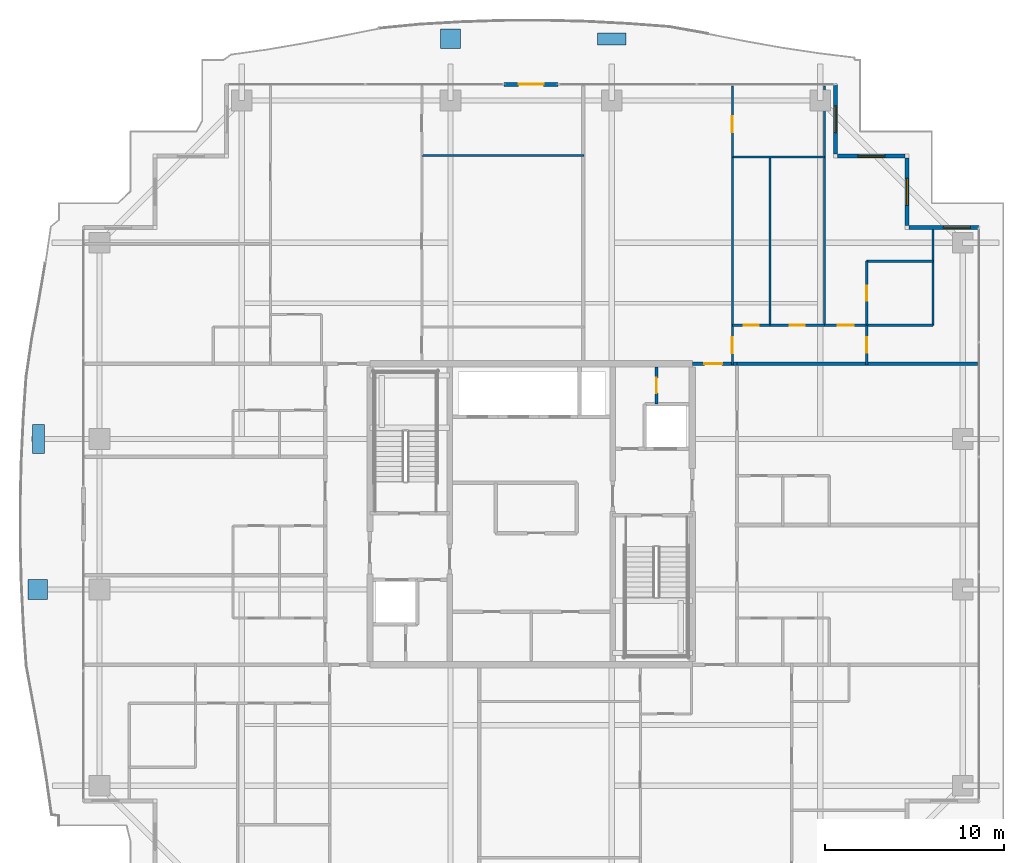
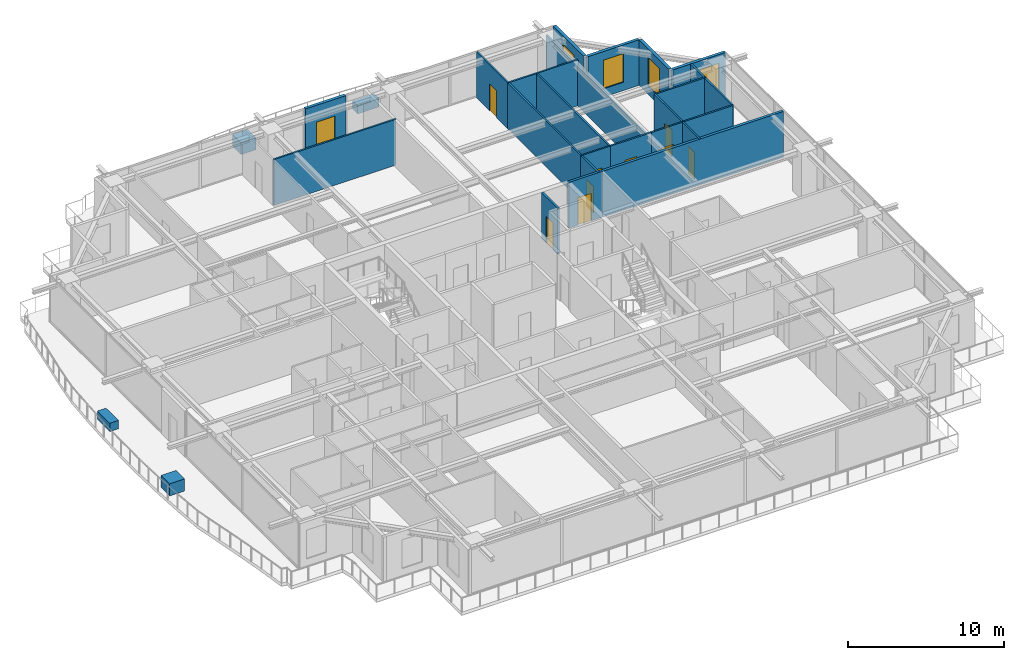
# One storey, part 31 of 38: 23 walls, 10 doors, 4 discrete accessories, 4 windows, 14 openings.
"""IFC4 building model written with IfcOpenShell, lengths in metres."""

from ifc_helpers import new_model, si_unit, direction, frame, frame_2d, origin, origin_2d, place, context, subcontext, project, spatial, rectangle, extrude, source, transform, mapped, material, layer, layer_set, type_object, element, fill, save


model = new_model("IFC4")

# Units and contexts
model_context = context("Model", 3, precision=1e-05, world=origin(), true_north=direction((0.0, 1.0)))
body_context = subcontext(model_context, "Body", "Model", "MODEL_VIEW")
ifc_project = project(units=[si_unit("LENGTHUNIT", "METRE"), si_unit("AREAUNIT", "SQUARE_METRE"), si_unit("VOLUMEUNIT", "CUBIC_METRE"), si_unit("PLANEANGLEUNIT", "RADIAN"), si_unit("MASSUNIT", "GRAM", prefix="KILO")], contexts=[model_context])

# Site, building, storey
site_placement = place(None, origin())
site = spatial("IfcSite", under=ifc_project, at=site_placement, CompositionType="ELEMENT")
building_placement = place(site_placement, origin())
building = spatial("IfcBuilding", under=site, at=building_placement, Name="Serunith Strait Residences", CompositionType="ELEMENT")
storey_placement = place(building_placement, frame((0.0, 0.0, 237.39990234375)))
storey = spatial("IfcBuildingStorey", under=building, at=storey_placement, Name="L59", CompositionType="ELEMENT", Elevation=237.39990234375)

# Wall, opening, window
ifc_material_1 = material(Name="Pale-Champagne Aluminium Insulated Panel", Category="aluminium")
ifc_layer_1 = layer(ifc_material_1, 0.219970703125, Name="Pale-Champagne Aluminium Insulated Panel")
ifc_layer_set_1 = layer_set([ifc_layer_1], Name="Pale-Champagne Aluminium Insulated Panel")
wall_type_1 = type_object("IfcWallType", Name="EW-ALUM-220", PredefinedType="ELEMENTEDWALL", material=ifc_layer_set_1)
wall_1_placement = place(storey_placement, frame((57.39990234375, 41.199951171875, 0.0), z_axis=(0.0, 0.0, 1.0), x_axis=(-1.0, 0.0, 0.0)))
wall_1 = element("IfcWall", 1, at=wall_1_placement, inside=storey, type_object=wall_type_1, Name="L59 Girih Serrated Corner Wall 07", PredefinedType="ELEMENTEDWALL", context=body_context, shape_type="SweptSolid", body=[
    extrude(rectangle(XDim=3.889892578125, YDim=0.219970703125, at=frame_2d((1.94482421875, 0.0))), origin(), (0.0, 0.0, 1.0), 3.5751953125),
])
opening_1_placement = place(wall_1_placement, frame((0.47802734375, 0.0, 0.64990234375)))
opening_1 = element("IfcOpeningElement", 2, at=opening_1_placement, cuts=wall_1, Name="Opening W-05", PredefinedType="OPENING", context=body_context, shape_type="SweptSolid", body=[
    extrude(rectangle(XDim=1.5, YDim=2.25, at=frame_2d((0.75, 1.125))), frame((0.0, 0.1201171875, 0.0), z_axis=(0.0, -1.0, 0.0), x_axis=(1.0, 0.0, 0.0)), (0.0, 0.0, 1.0), 0.239990234375),
])
ifc_material_2 = material(Name="Ceramic-Fritted Operable Aluminium Window Glass", Category="aluminium")
window_type = type_object("IfcWindowType", Name="WIN-C5", PartitioningType="DOUBLE_PANEL_VERTICAL", PredefinedType="WINDOW", material=ifc_material_2)
shared_shape_1 = source(origin(), body_context, "Body", "SweptSolid", [
    extrude(rectangle(XDim=1.5, YDim=2.25, at=frame_2d((0.75, 1.125))), frame((0.0, 0.030029296875, 0.0), z_axis=(0.0, -1.0, 0.0), x_axis=(1.0, 0.0, 0.0)), (0.0, 0.0, 1.0), 0.06005859375),
])
window_1_placement = place(opening_1_placement, origin())
window_1 = element("IfcWindow", 3, at=window_1_placement, inside=storey, type_object=window_type, Name="L59 Corner Operable Fritted Window 07", OverallHeight=2.25, OverallWidth=1.5, PartitioningType="SINGLE_PANEL", PredefinedType="WINDOW", context=body_context, shape_type="MappedRepresentation", body=[
    mapped(shared_shape_1, transform((0.0, 0.0, 0.0), scale=1.0)),
])
fill(opening_1, window_1)

wall_2_placement = place(storey_placement, frame((53.39990234375, 41.31005859375, 0.0), z_axis=(0.0, 0.0, 1.0), x_axis=(0.0, 1.0, 0.0)))
wall_2 = element("IfcWall", 4, at=wall_2_placement, inside=storey, type_object=wall_type_1, Name="L59 Girih Serrated Corner Wall 08", PredefinedType="ELEMENTEDWALL", context=body_context, shape_type="SweptSolid", body=[
    extrude(rectangle(XDim=3.780029296875, YDim=0.219970703125, at=frame_2d((1.89013671875, 0.0))), origin(), (0.0, 0.0, 1.0), 3.5751953125),
])
opening_2_placement = place(wall_2_placement, frame((1.139892578125, 0.0, 0.64990234375)))
opening_2 = element("IfcOpeningElement", 5, at=opening_2_placement, cuts=wall_2, Name="Opening W-05", PredefinedType="OPENING", context=body_context, shape_type="SweptSolid", body=[
    extrude(rectangle(XDim=1.5, YDim=2.25, at=frame_2d((0.75, 1.125))), frame((0.0, 0.1201171875, 0.0), z_axis=(0.0, -1.0, 0.0), x_axis=(1.0, 0.0, 0.0)), (0.0, 0.0, 1.0), 0.239990234375),
])
window_2_placement = place(opening_2_placement, origin())
window_2 = element("IfcWindow", 6, at=window_2_placement, inside=storey, type_object=window_type, Name="L59 Corner Operable Fritted Window 08", OverallHeight=2.25, OverallWidth=1.5, PartitioningType="SINGLE_PANEL", PredefinedType="WINDOW", context=body_context, shape_type="MappedRepresentation", body=[
    mapped(shared_shape_1, transform((0.0, 0.0, 0.0), scale=1.0)),
])
fill(opening_2, window_2)

wall_3_placement = place(storey_placement, frame((53.2900390625, 45.199951171875, 0.0), z_axis=(0.0, 0.0, 1.0), x_axis=(-1.0, 0.0, 0.0)))
wall_3 = element("IfcWall", 7, at=wall_3_placement, inside=storey, type_object=wall_type_1, Name="L59 Girih Serrated Corner Wall 09", PredefinedType="ELEMENTEDWALL", context=body_context, shape_type="SweptSolid", body=[
    extrude(rectangle(XDim=3.780029296875, YDim=0.219970703125, at=frame_2d((1.89013671875, 0.0))), origin(), (0.0, 0.0, 1.0), 3.5751953125),
])
opening_3_placement = place(wall_3_placement, frame((1.139892578125, 0.0, 0.64990234375)))
opening_3 = element("IfcOpeningElement", 8, at=opening_3_placement, cuts=wall_3, Name="Opening W-05", PredefinedType="OPENING", context=body_context, shape_type="SweptSolid", body=[
    extrude(rectangle(XDim=1.5, YDim=2.25, at=frame_2d((0.75, 1.125))), frame((0.0, 0.1201171875, 0.0), z_axis=(0.0, -1.0, 0.0), x_axis=(1.0, 0.0, 0.0)), (0.0, 0.0, 1.0), 0.239990234375),
])
window_3_placement = place(opening_3_placement, origin())
window_3 = element("IfcWindow", 9, at=window_3_placement, inside=storey, type_object=window_type, Name="L59 Corner Operable Fritted Window 09", OverallHeight=2.25, OverallWidth=1.5, PartitioningType="SINGLE_PANEL", PredefinedType="WINDOW", context=body_context, shape_type="MappedRepresentation", body=[
    mapped(shared_shape_1, transform((0.0, 0.0, 0.0), scale=1.0)),
])
fill(opening_3, window_3)

wall_4_placement = place(storey_placement, frame((49.39990234375, 45.31005859375, 0.0), z_axis=(0.0, 0.0, 1.0), x_axis=(0.0, 1.0, 0.0)))
wall_4 = element("IfcWall", 10, at=wall_4_placement, inside=storey, type_object=wall_type_1, Name="L59 Girih Serrated Corner Wall 10", PredefinedType="ELEMENTEDWALL", context=body_context, shape_type="SweptSolid", body=[
    extrude(rectangle(XDim=3.889892578125, YDim=0.219970703125, at=frame_2d((1.94482421875, 0.0))), origin(), (0.0, 0.0, 1.0), 3.5751953125),
])
opening_4_placement = place(wall_4_placement, frame((1.195068359375, 0.0, 0.64990234375)))
opening_4 = element("IfcOpeningElement", 11, at=opening_4_placement, cuts=wall_4, Name="Opening W-05", PredefinedType="OPENING", context=body_context, shape_type="SweptSolid", body=[
    extrude(rectangle(XDim=1.5, YDim=2.25, at=frame_2d((0.75, 1.125))), frame((0.0, 0.1201171875, 0.0), z_axis=(0.0, -1.0, 0.0), x_axis=(1.0, 0.0, 0.0)), (0.0, 0.0, 1.0), 0.239990234375),
])
window_4_placement = place(opening_4_placement, origin())
window_4 = element("IfcWindow", 12, at=window_4_placement, inside=storey, type_object=window_type, Name="L59 Corner Operable Fritted Window 10", OverallHeight=2.25, OverallWidth=1.5, PartitioningType="SINGLE_PANEL", PredefinedType="WINDOW", context=body_context, shape_type="MappedRepresentation", body=[
    mapped(shared_shape_1, transform((0.0, 0.0, 0.0), scale=1.0)),
])
fill(opening_4, window_4)

# Wall, opening, door
wall_5_placement = place(storey_placement, frame((33.89990234375, 49.199951171875, 0.0), z_axis=(0.0, 0.0, 1.0), x_axis=(-1.0, 0.0, 0.0)))
wall_5 = element("IfcWall", 13, at=wall_5_placement, inside=storey, type_object=wall_type_1, Name="L59 N Facade Pier Wall", PredefinedType="ELEMENTEDWALL", context=body_context, shape_type="SweptSolid", body=[
    extrude(rectangle(XDim=3.0, YDim=0.219970703125, at=frame_2d((1.5, 0.0))), origin(), (0.0, 0.0, 1.0), 3.5751953125),
])
opening_5_placement = place(wall_5_placement, frame((0.800048828125, 0.0, 0.0)))
opening_5 = element("IfcOpeningElement", 14, at=opening_5_placement, cuts=wall_5, Name="Opening ED-04", PredefinedType="OPENING", context=body_context, shape_type="SweptSolid", body=[
    extrude(rectangle(XDim=1.39990234375, YDim=2.25, at=frame_2d((0.699951171875, 1.125))), frame((0.0, 0.1201171875, 0.0), z_axis=(0.0, -1.0, 0.0), x_axis=(1.0, 0.0, 0.0)), (0.0, 0.0, 1.0), 0.239990234375),
])
ifc_material_3 = material(Name="Thermally-Broken Aluminium Sliding Balcony Door", Category="aluminium")
door_type_1 = type_object("IfcDoorType", Name="ED-BALC-1400", OperationType="NOTDEFINED", PredefinedType="DOOR", material=ifc_material_3)
shared_shape_2 = source(origin(), body_context, "Body", "SweptSolid", [
    extrude(rectangle(XDim=1.39990234375, YDim=2.25, at=frame_2d((0.699951171875, 1.125))), frame((0.0, 0.02490234375, 0.0), z_axis=(0.0, -1.0, 0.0), x_axis=(1.0, 0.0, 0.0)), (0.0, 0.0, 1.0), 0.050048828125),
])
door_1_placement = place(opening_5_placement, origin())
door_1 = element("IfcDoor", 15, at=door_1_placement, inside=storey, type_object=door_type_1, Name="L59 N Vertical-Forest Balcony Door", OperationType="SLIDING_TO_LEFT", OverallHeight=2.25, OverallWidth=1.39990234375, PredefinedType="DOOR", context=body_context, shape_type="MappedRepresentation", body=[
    mapped(shared_shape_2, transform((0.0, 0.0, 0.0), scale=1.0)),
])
fill(opening_5, door_1)

ifc_material_4 = material(Name="Fire-rated masonry service closet wall", Category="masonry")
ifc_layer_2 = layer(ifc_material_4, 0.14990234375, Name="Fire-rated masonry service closet wall")
ifc_layer_set_2 = layer_set([ifc_layer_2], Name="Fire-rated masonry service closet wall")
wall_type_2 = type_object("IfcWallType", Name="IW-BOH-150", PredefinedType="PARTITIONING", material=ifc_layer_set_2)
wall_6_placement = place(storey_placement, frame((39.39990234375, 31.35009765625, 0.0), z_axis=(0.0, 0.0, 1.0), x_axis=(0.0, 1.0, 0.0)))
wall_6 = element("IfcWall", 16, at=wall_6_placement, inside=storey, type_object=wall_type_2, Name="L59 Partition Wall 012", PredefinedType="PARTITIONING", context=body_context, shape_type="SweptSolid", body=[
    extrude(rectangle(XDim=2.074951171875, YDim=0.14990234375, at=frame_2d((1.03759765625, 0.0))), origin(), (0.0, 0.0, 1.0), 3.590087890625),
])
opening_6_placement = place(wall_6_placement, frame((0.612060546875, 0.0, 0.0)))
opening_6 = element("IfcOpeningElement", 17, at=opening_6_placement, cuts=wall_6, Name="Opening FD-850", PredefinedType="OPENING", context=body_context, shape_type="SweptSolid", body=[
    extrude(rectangle(XDim=0.85009765625, YDim=2.10009765625, at=frame_2d((0.425048828125, 1.050048828125))), frame((0.0, 0.0849609375, 0.0), z_axis=(0.0, -1.0, 0.0), x_axis=(1.0, 0.0, 0.0)), (0.0, 0.0, 1.0), 0.169921875),
])
ifc_material_5 = material(Name="Powder-coated steel service closet door", Category="steel")
door_type_2 = type_object("IfcDoorType", Name="FD-BOH-850", OperationType="NOTDEFINED", PredefinedType="DOOR", material=ifc_material_5)
shared_shape_3 = source(origin(), body_context, "Body", "SweptSolid", [
    extrude(rectangle(XDim=0.85009765625, YDim=2.10009765625, at=frame_2d((0.425048828125, 1.050048828125))), frame((0.0, 0.02490234375, 0.0), z_axis=(0.0, -1.0, 0.0), x_axis=(1.0, 0.0, 0.0)), (0.0, 0.0, 1.0), 0.050048828125),
])
door_2_placement = place(opening_6_placement, origin())
door_2 = element("IfcDoor", 18, at=door_2_placement, inside=storey, type_object=door_type_2, Name="L59 Janitor Store Door", OperationType="SINGLE_SWING_RIGHT", OverallHeight=2.10009765625, OverallWidth=0.85009765625, PredefinedType="DOOR", context=body_context, shape_type="MappedRepresentation", body=[
    mapped(shared_shape_3, transform((0.0, 0.0, 0.0), scale=1.0)),
])
fill(opening_6, door_2)

ifc_material_6 = material(Name="Fire-rated acoustic gypsum partition")
ifc_layer_3 = layer(ifc_material_6, 0.179931640625, Name="Fire-rated acoustic gypsum partition")
ifc_layer_set_3 = layer_set([ifc_layer_3], Name="Fire-rated acoustic gypsum partition")
wall_type_3 = type_object("IfcWallType", Name="IW-CORR-180", PredefinedType="PARTITIONING", material=ifc_layer_set_3)
wall_7_placement = place(storey_placement, frame((41.402099609375, 33.60009765625, 0.0), z_axis=(0.0, 0.0, 1.0), x_axis=(1.0, 0.0, 0.0)))
wall_7 = element("IfcWall", 19, at=wall_7_placement, inside=storey, type_object=wall_type_3, Name="L59 Partition Wall 033", PredefinedType="PARTITIONING", context=body_context, shape_type="SweptSolid", body=[
    extrude(rectangle(XDim=2.495849609375, YDim=0.179931640625, at=frame_2d((1.248046875, 0.0))), origin(), (0.0, 0.0, 1.0), 3.590087890625),
])
opening_7_placement = place(wall_7_placement, frame((0.666015625, 0.0, 0.0)))
opening_7 = element("IfcOpeningElement", 20, at=opening_7_placement, cuts=wall_7, Name="Opening D-APT1000", PredefinedType="OPENING", context=body_context, shape_type="SweptSolid", body=[
    extrude(rectangle(XDim=1.0, YDim=2.14990234375, at=frame_2d((0.5, 1.074951171875))), frame((0.0, 0.10009765625, 0.0), z_axis=(0.0, -1.0, 0.0), x_axis=(1.0, 0.0, 0.0)), (0.0, 0.0, 1.0), 0.199951171875),
])
ifc_material_7 = material(Name="Solid timber engineered fire door", Category="wood")
door_type_3 = type_object("IfcDoorType", Name="ID-APT-1000", OperationType="NOTDEFINED", PredefinedType="DOOR", material=ifc_material_7)
shared_shape_4 = source(origin(), body_context, "Body", "SweptSolid", [
    extrude(rectangle(XDim=1.0, YDim=2.14990234375, at=frame_2d((0.5, 1.074951171875))), frame((0.0, 0.02490234375, 0.0), z_axis=(0.0, -1.0, 0.0), x_axis=(1.0, 0.0, 0.0)), (0.0, 0.0, 1.0), 0.050048828125),
])
door_3_placement = place(opening_7_placement, origin())
door_3 = element("IfcDoor", 21, at=door_3_placement, inside=storey, type_object=door_type_3, Name="L59 Unit 04 Entrance Door", OperationType="SINGLE_SWING_RIGHT", OverallHeight=2.14990234375, OverallWidth=1.0, PredefinedType="DOOR", context=body_context, shape_type="MappedRepresentation", body=[
    mapped(shared_shape_4, transform((0.0, 0.0, 0.0), scale=1.0)),
])
fill(opening_7, door_3)

# Wall
ifc_material_8 = material(Name="Lightweight steel-stud gypsum partition", Category="steel")
ifc_layer_4 = layer(ifc_material_8, 0.1201171875, Name="Lightweight steel-stud gypsum partition")
ifc_layer_set_4 = layer_set([ifc_layer_4], Name="Lightweight steel-stud gypsum partition")
wall_type_4 = type_object("IfcWallType", Name="IW-PART-120", PredefinedType="PARTITIONING", material=ifc_layer_set_4)
wall_8_placement = place(storey_placement, frame((26.300048828125, 45.236083984375, 0.0), z_axis=(0.0, 0.0, 1.0), x_axis=(1.0, 0.0, 0.0)))
element("IfcWall", 22, at=wall_8_placement, inside=storey, type_object=wall_type_4, Name="L59 Partition Wall 071", PredefinedType="PARTITIONING", context=body_context, shape_type="SweptSolid", body=[
    extrude(rectangle(XDim=9.06005859375, YDim=0.1201171875, at=frame_2d((4.530029296875, 0.0))), origin(), (0.0, 0.0, 1.0), 3.590087890625),
])

# Wall, opening, door
wall_9_placement = place(storey_placement, frame((43.639892578125, 35.75, 0.0), z_axis=(0.0, 0.0, 1.0), x_axis=(0.0, -1.0, 0.0)))
wall_9 = element("IfcWall", 23, at=wall_9_placement, inside=storey, type_object=wall_type_4, Name="L59 Partition Wall 075", PredefinedType="PARTITIONING", context=body_context, shape_type="SweptSolid", body=[
    extrude(rectangle(XDim=2.2099609375, YDim=0.1201171875, at=frame_2d((1.10498046875, 0.0))), origin(), (0.0, 0.0, 1.0), 3.590087890625),
])
opening_8_placement = place(wall_9_placement, frame((0.655029296875, 0.0, 0.0)))
opening_8 = element("IfcOpeningElement", 24, at=opening_8_placement, cuts=wall_9, Name="Opening D-RM900", PredefinedType="OPENING", context=body_context, shape_type="SweptSolid", body=[
    extrude(rectangle(XDim=0.89990234375, YDim=2.10009765625, at=frame_2d((0.449951171875, 1.050048828125))), frame((0.0, 0.070068359375, 0.0), z_axis=(0.0, -1.0, 0.0), x_axis=(1.0, 0.0, 0.0)), (0.0, 0.0, 1.0), 0.14013671875),
])
ifc_material_9 = material(Name="Engineered timber flush bedroom door", Category="wood")
door_type_4 = type_object("IfcDoorType", Name="ID-ROOM-900", OperationType="NOTDEFINED", PredefinedType="DOOR", material=ifc_material_9)
shared_shape_5 = source(origin(), body_context, "Body", "SweptSolid", [
    extrude(rectangle(XDim=0.89990234375, YDim=2.10009765625, at=frame_2d((0.449951171875, 1.050048828125))), frame((0.0, 0.02490234375, 0.0), z_axis=(0.0, -1.0, 0.0), x_axis=(1.0, 0.0, 0.0)), (0.0, 0.0, 1.0), 0.050048828125),
])
door_4_placement = place(opening_8_placement, origin())
door_4 = element("IfcDoor", 25, at=door_4_placement, inside=storey, type_object=door_type_4, Name="L59 Hall E 5904 Door", OperationType="SINGLE_SWING_RIGHT", OverallHeight=2.10009765625, OverallWidth=0.89990234375, PredefinedType="DOOR", context=body_context, shape_type="MappedRepresentation", body=[
    mapped(shared_shape_5, transform((0.0, 0.0, 0.0), scale=1.0)),
])
fill(opening_8, door_4)

wall_10_placement = place(storey_placement, frame((43.639892578125, 49.10498046875, 0.0), z_axis=(0.0, 0.0, 1.0), x_axis=(0.0, -1.0, 0.0)))
wall_10 = element("IfcWall", 26, at=wall_10_placement, inside=storey, type_object=wall_type_4, Name="L59 Partition Wall 076", PredefinedType="PARTITIONING", context=body_context, shape_type="SweptSolid", body=[
    extrude(rectangle(XDim=3.9560546875, YDim=0.1201171875, at=frame_2d((1.97802734375, 0.0))), origin(), (0.0, 0.0, 1.0), 3.590087890625),
])
opening_9_placement = place(wall_10_placement, frame((1.680908203125, 0.0, 0.0)))
opening_9 = element("IfcOpeningElement", 27, at=opening_9_placement, cuts=wall_10, Name="Opening D-RM900", PredefinedType="OPENING", context=body_context, shape_type="SweptSolid", body=[
    extrude(rectangle(XDim=0.89990234375, YDim=2.10009765625, at=frame_2d((0.449951171875, 1.050048828125))), frame((0.0, 0.070068359375, 0.0), z_axis=(0.0, -1.0, 0.0), x_axis=(1.0, 0.0, 0.0)), (0.0, 0.0, 1.0), 0.14013671875),
])
door_5_placement = place(opening_9_placement, origin())
door_5 = element("IfcDoor", 28, at=door_5_placement, inside=storey, type_object=door_type_4, Name="L59 Study 1 5904 Door", OperationType="SINGLE_SWING_LEFT", OverallHeight=2.10009765625, OverallWidth=0.89990234375, PredefinedType="DOOR", context=body_context, shape_type="MappedRepresentation", body=[
    mapped(shared_shape_5, transform((0.0, 0.0, 0.0), scale=1.0)),
])
fill(opening_9, door_5)

# Walls
wall_11_placement = place(storey_placement, frame((43.639892578125, 45.14697265625, 0.0), z_axis=(0.0, 0.0, 1.0), x_axis=(0.0, -1.0, 0.0)))
element("IfcWall", 29, at=wall_11_placement, inside=storey, type_object=wall_type_4, Name="L59 Partition Wall 077", PredefinedType="PARTITIONING", context=body_context, shape_type="SweptSolid", body=[
    extrude(rectangle(XDim=9.39501953125, YDim=0.1201171875, at=frame_2d((4.697509765625, 0.0))), origin(), (0.0, 0.0, 1.0), 3.590087890625),
])
wall_12_placement = place(storey_placement, frame((43.639892578125, 45.14892578125, 0.0), z_axis=(0.0, 0.0, 1.0), x_axis=(1.0, 0.0, 0.0)))
element("IfcWall", 30, at=wall_12_placement, inside=storey, type_object=wall_type_4, Name="L59 Partition Wall 078", PredefinedType="PARTITIONING", context=body_context, shape_type="SweptSolid", body=[
    extrude(rectangle(XDim=5.150146484375, YDim=0.1201171875, at=frame_2d((2.5751953125, 0.0))), origin(), (0.0, 0.0, 1.0), 3.590087890625),
])
wall_13_placement = place(storey_placement, frame((48.7900390625, 49.10498046875, 0.0), z_axis=(0.0, 0.0, 1.0), x_axis=(0.0, -1.0, 0.0)))
element("IfcWall", 31, at=wall_13_placement, inside=storey, type_object=wall_type_4, Name="L59 Partition Wall 079", PredefinedType="PARTITIONING", context=body_context, shape_type="SweptSolid", body=[
    extrude(rectangle(XDim=13.35498046875, YDim=0.1201171875, at=frame_2d((6.677490234375, 0.0))), origin(), (0.0, 0.0, 1.0), 3.1220703125),
])
wall_14_placement = place(storey_placement, frame((45.739990234375, 45.14892578125, 0.0), z_axis=(0.0, 0.0, 1.0), x_axis=(0.0, -1.0, 0.0)))
element("IfcWall", 32, at=wall_14_placement, inside=storey, type_object=wall_type_4, Name="L59 Partition Wall 080", PredefinedType="PARTITIONING", context=body_context, shape_type="SweptSolid", body=[
    extrude(rectangle(XDim=9.39892578125, YDim=0.1201171875, at=frame_2d((4.699462890625, 0.0))), origin(), (0.0, 0.0, 1.0), 3.590087890625),
])

# Wall, opening, door
wall_15_placement = place(storey_placement, frame((43.639892578125, 35.75, 0.0), z_axis=(0.0, 0.0, 1.0), x_axis=(1.0, 0.0, 0.0)))
wall_15 = element("IfcWall", 33, at=wall_15_placement, inside=storey, type_object=wall_type_4, Name="L59 Partition Wall 081", PredefinedType="PARTITIONING", context=body_context, shape_type="SweptSolid", body=[
    extrude(rectangle(XDim=2.10009765625, YDim=0.1201171875, at=frame_2d((1.050048828125, 0.0))), origin(), (0.0, 0.0, 1.0), 3.590087890625),
])
opening_10_placement = place(wall_15_placement, frame((0.625, 0.0, 0.0)))
opening_10 = element("IfcOpeningElement", 34, at=opening_10_placement, cuts=wall_15, Name="Opening D-BTH850", PredefinedType="OPENING", context=body_context, shape_type="SweptSolid", body=[
    extrude(rectangle(XDim=0.85009765625, YDim=2.10009765625, at=frame_2d((0.425048828125, 1.050048828125))), frame((0.0, 0.070068359375, 0.0), z_axis=(0.0, -1.0, 0.0), x_axis=(1.0, 0.0, 0.0)), (0.0, 0.0, 1.0), 0.14013671875),
])
ifc_material_10 = material(Name="Moisture-resistant timber bathroom door", Category="wood")
door_type_5 = type_object("IfcDoorType", Name="ID-BATH-850", OperationType="NOTDEFINED", PredefinedType="DOOR", material=ifc_material_10)
door_6_placement = place(opening_10_placement, origin())
door_6 = element("IfcDoor", 35, at=door_6_placement, inside=storey, type_object=door_type_5, Name="L59 Bathroom 5904 Door", OperationType="SINGLE_SWING_RIGHT", OverallHeight=2.10009765625, OverallWidth=0.85009765625, PredefinedType="DOOR", context=body_context, shape_type="MappedRepresentation", body=[
    mapped(shared_shape_3, transform((0.0, 0.0, 0.0), scale=1.0)),
])
fill(opening_10, door_6)

wall_16_placement = place(storey_placement, frame((45.741943359375, 35.75, 0.0), z_axis=(0.0, 0.0, 1.0), x_axis=(1.0, 0.0, 0.0)))
wall_16 = element("IfcWall", 36, at=wall_16_placement, inside=storey, type_object=wall_type_4, Name="L59 Partition Wall 082", PredefinedType="PARTITIONING", context=body_context, shape_type="SweptSolid", body=[
    extrude(rectangle(XDim=3.048095703125, YDim=0.1201171875, at=frame_2d((1.52392578125, 0.0))), origin(), (0.0, 0.0, 1.0), 3.590087890625),
])
opening_11_placement = place(wall_16_placement, frame((1.09912109375, 0.0, 0.0)))
opening_11 = element("IfcOpeningElement", 37, at=opening_11_placement, cuts=wall_16, Name="Opening D-RM850", PredefinedType="OPENING", context=body_context, shape_type="SweptSolid", body=[
    extrude(rectangle(XDim=0.85009765625, YDim=2.10009765625, at=frame_2d((0.425048828125, 1.050048828125))), frame((0.0, 0.070068359375, 0.0), z_axis=(0.0, -1.0, 0.0), x_axis=(1.0, 0.0, 0.0)), (0.0, 0.0, 1.0), 0.14013671875),
])
ifc_material_11 = material(Name="Engineered timber flush study and kitchen door", Category="wood")
door_type_6 = type_object("IfcDoorType", Name="ID-ROOM-850", OperationType="NOTDEFINED", PredefinedType="DOOR", material=ifc_material_11)
door_7_placement = place(opening_11_placement, origin())
door_7 = element("IfcDoor", 38, at=door_7_placement, inside=storey, type_object=door_type_6, Name="L59 Kitchen 5904 Door", OperationType="SINGLE_SWING_LEFT", OverallHeight=2.10009765625, OverallWidth=0.85009765625, PredefinedType="DOOR", context=body_context, shape_type="MappedRepresentation", body=[
    mapped(shared_shape_3, transform((0.0, 0.0, 0.0), scale=1.0)),
])
fill(opening_11, door_7)

wall_17_placement = place(storey_placement, frame((48.7919921875, 35.75, 0.0), z_axis=(0.0, 0.0, 1.0), x_axis=(1.0, 0.0, 0.0)))
wall_17 = element("IfcWall", 39, at=wall_17_placement, inside=storey, type_object=wall_type_4, Name="L59 Partition Wall 083", PredefinedType="PARTITIONING", context=body_context, shape_type="SweptSolid", body=[
    extrude(rectangle(XDim=2.347900390625, YDim=0.1201171875, at=frame_2d((1.173828125, 0.0))), origin(), (0.0, 0.0, 1.0), 3.590087890625),
])
opening_12_placement = place(wall_17_placement, frame((0.72412109375, 0.0, 0.0)))
opening_12 = element("IfcOpeningElement", 40, at=opening_12_placement, cuts=wall_17, Name="Opening D-RM900", PredefinedType="OPENING", context=body_context, shape_type="SweptSolid", body=[
    extrude(rectangle(XDim=0.89990234375, YDim=2.10009765625, at=frame_2d((0.449951171875, 1.050048828125))), frame((0.0, 0.070068359375, 0.0), z_axis=(0.0, -1.0, 0.0), x_axis=(1.0, 0.0, 0.0)), (0.0, 0.0, 1.0), 0.14013671875),
])
door_8_placement = place(opening_12_placement, origin())
door_8 = element("IfcDoor", 41, at=door_8_placement, inside=storey, type_object=door_type_4, Name="L59 Master Bedroom E 5904 Door", OperationType="SINGLE_SWING_RIGHT", OverallHeight=2.10009765625, OverallWidth=0.89990234375, PredefinedType="DOOR", context=body_context, shape_type="MappedRepresentation", body=[
    mapped(shared_shape_5, transform((0.0, 0.0, 0.0), scale=1.0)),
])
fill(opening_12, door_8)

# Walls
wall_18_placement = place(storey_placement, frame((51.139892578125, 39.3291015625, 0.0), z_axis=(0.0, 0.0, 1.0), x_axis=(1.0, 0.0, 0.0)))
element("IfcWall", 42, at=wall_18_placement, inside=storey, type_object=wall_type_4, Name="L59 Partition Wall 084", PredefinedType="PARTITIONING", context=body_context, shape_type="SweptSolid", body=[
    extrude(rectangle(XDim=3.7001953125, YDim=0.1201171875, at=frame_2d((1.85009765625, 0.0))), origin(), (0.0, 0.0, 1.0), 3.590087890625),
])
wall_19_placement = place(storey_placement, frame((54.840087890625, 41.10498046875, 0.0), z_axis=(0.0, 0.0, 1.0), x_axis=(0.0, -1.0, 0.0)))
element("IfcWall", 43, at=wall_19_placement, inside=storey, type_object=wall_type_4, Name="L59 Partition Wall 085", PredefinedType="PARTITIONING", context=body_context, shape_type="SweptSolid", body=[
    extrude(rectangle(XDim=5.35498046875, YDim=0.1201171875, at=frame_2d((2.677490234375, 0.0))), origin(), (0.0, 0.0, 1.0), 3.590087890625),
])
wall_20_placement = place(storey_placement, frame((51.14208984375, 35.75, 0.0), z_axis=(0.0, 0.0, 1.0), x_axis=(1.0, 0.0, 0.0)))
element("IfcWall", 44, at=wall_20_placement, inside=storey, type_object=wall_type_4, Name="L59 Partition Wall 086", PredefinedType="PARTITIONING", context=body_context, shape_type="SweptSolid", body=[
    extrude(rectangle(XDim=3.697998046875, YDim=0.1201171875, at=frame_2d((1.84912109375, 0.0))), origin(), (0.0, 0.0, 1.0), 3.590087890625),
])

# Wall, opening, door
wall_21_placement = place(storey_placement, frame((51.139892578125, 39.3291015625, 0.0), z_axis=(0.0, 0.0, 1.0), x_axis=(0.0, -1.0, 0.0)))
wall_21 = element("IfcWall", 45, at=wall_21_placement, inside=storey, type_object=wall_type_4, Name="L59 Partition Wall 087", PredefinedType="PARTITIONING", context=body_context, shape_type="SweptSolid", body=[
    extrude(rectangle(XDim=3.5791015625, YDim=0.1201171875, at=frame_2d((1.78955078125, 0.0))), origin(), (0.0, 0.0, 1.0), 3.590087890625),
])
opening_13_placement = place(wall_21_placement, frame((1.364990234375, 0.0, 0.0)))
opening_13 = element("IfcOpeningElement", 46, at=opening_13_placement, cuts=wall_21, Name="Opening D-BTH850", PredefinedType="OPENING", context=body_context, shape_type="SweptSolid", body=[
    extrude(rectangle(XDim=0.85009765625, YDim=2.10009765625, at=frame_2d((0.425048828125, 1.050048828125))), frame((0.0, 0.070068359375, 0.0), z_axis=(0.0, -1.0, 0.0), x_axis=(1.0, 0.0, 0.0)), (0.0, 0.0, 1.0), 0.14013671875),
])
door_9_placement = place(opening_13_placement, origin())
door_9 = element("IfcDoor", 47, at=door_9_placement, inside=storey, type_object=door_type_5, Name="L59 En-suite Bathroom E 5904 Door", OperationType="SINGLE_SWING_LEFT", OverallHeight=2.10009765625, OverallWidth=0.85009765625, PredefinedType="DOOR", context=body_context, shape_type="MappedRepresentation", body=[
    mapped(shared_shape_3, transform((0.0, 0.0, 0.0), scale=1.0)),
])
fill(opening_13, door_9)

wall_22_placement = place(storey_placement, frame((51.139892578125, 35.748046875, 0.0), z_axis=(0.0, 0.0, 1.0), x_axis=(0.0, -1.0, 0.0)))
wall_22 = element("IfcWall", 48, at=wall_22_placement, inside=storey, type_object=wall_type_4, Name="L59 Partition Wall 088", PredefinedType="PARTITIONING", context=body_context, shape_type="SweptSolid", body=[
    extrude(rectangle(XDim=2.2080078125, YDim=0.1201171875, at=frame_2d((1.10400390625, 0.0))), origin(), (0.0, 0.0, 1.0), 3.590087890625),
])
opening_14_placement = place(wall_22_placement, frame((0.678955078125, 0.0, 0.0)))
opening_14 = element("IfcOpeningElement", 49, at=opening_14_placement, cuts=wall_22, Name="Opening D-RM850", PredefinedType="OPENING", context=body_context, shape_type="SweptSolid", body=[
    extrude(rectangle(XDim=0.85009765625, YDim=2.10009765625, at=frame_2d((0.425048828125, 1.050048828125))), frame((0.0, 0.070068359375, 0.0), z_axis=(0.0, -1.0, 0.0), x_axis=(1.0, 0.0, 0.0)), (0.0, 0.0, 1.0), 0.14013671875),
])
door_10_placement = place(opening_14_placement, origin())
door_10 = element("IfcDoor", 50, at=door_10_placement, inside=storey, type_object=door_type_6, Name="L59 Wardrobe E 5904 Door", OperationType="SINGLE_SWING_RIGHT", OverallHeight=2.10009765625, OverallWidth=0.85009765625, PredefinedType="DOOR", context=body_context, shape_type="MappedRepresentation", body=[
    mapped(shared_shape_3, transform((0.0, 0.0, 0.0), scale=1.0)),
])
fill(opening_14, door_10)

# Wall
ifc_material_12 = material(Name="Twin-stud acoustic gypsum board partition")
ifc_layer_5 = layer(ifc_material_12, 0.199951171875, Name="Twin-stud acoustic gypsum board partition")
ifc_layer_set_5 = layer_set([ifc_layer_5], Name="Twin-stud acoustic gypsum board partition")
wall_type_5 = type_object("IfcWallType", Name="IW-PARTY-200", PredefinedType="PARTITIONING", material=ifc_layer_set_5)
wall_23_placement = place(storey_placement, frame((43.89990234375, 33.60009765625, 0.0), z_axis=(0.0, 0.0, 1.0), x_axis=(1.0, 0.0, 0.0)))
element("IfcWall", 51, at=wall_23_placement, inside=storey, type_object=wall_type_5, Name="L59 Partition Wall 028", PredefinedType="PARTITIONING", context=body_context, shape_type="SweptSolid", body=[
    extrude(rectangle(XDim=13.418212890625, YDim=0.199951171875, at=frame_2d((6.708984375, 0.0))), origin(), (0.0, 0.0, 1.0), 3.590087890625),
])

# Discrete accessories
ifc_material_13 = material(Name="GFRC Root-Anchored Structural Planter")
discrete_accessory_type_1 = type_object("IfcDiscreteAccessoryType", Name="ACC-PLANTER-TREE", PredefinedType="USERDEFINED", material=ifc_material_13)
shared_shape_6 = source(origin(), body_context, "Body", "SweptSolid", [
    extrude(rectangle(XDim=1.10009765625, YDim=1.10009765625, at=origin_2d()), origin(), (0.0, 0.0, 1.0), 0.949951171875),
])
for number, where, z_axis, x_axis, name in (
    (52, (27.89990234375, 51.75390625, -0.0498046875), (0.0, 0.0, 1.0), (-1.0, 0.0, 0.0), "L59 Vertical-Forest Tree Planter 06"),
    (53, (4.859619140625, 21.0, -0.0498046875), (0.0, 0.0, 1.0), (0.0, -1.0, 0.0), "L59 Vertical-Forest Tree Planter 14"),
):
    element("IfcDiscreteAccessory", number, at=place(storey_placement, frame(where, z_axis=z_axis, x_axis=x_axis)), inside=storey, type_object=discrete_accessory_type_1, Name=name, ObjectType="PLANTER", PredefinedType="USERDEFINED", context=body_context, shape_type="MappedRepresentation", body=[
        mapped(shared_shape_6, transform((0.0, 0.0, 0.0), scale=1.0)),
    ])
ifc_material_14 = material(Name="GFRC Irrigated Shrub Trough Planter")
discrete_accessory_type_2 = type_object("IfcDiscreteAccessoryType", Name="ACC-PLANTER-SHRUB", PredefinedType="USERDEFINED", material=ifc_material_14)
shared_shape_7 = source(origin(), body_context, "Body", "SweptSolid", [
    extrude(rectangle(XDim=1.60009765625, YDim=0.64990234375, at=origin_2d()), origin(), (0.0, 0.0, 1.0), 0.64990234375),
])
for number, where, z_axis, x_axis, name in (
    (54, (36.89990234375, 51.739013671875, -0.0498046875), (0.0, 0.0, 1.0), (-1.0, 0.0, 0.0), "L59 Vertical-Forest Shrub Planter 07"),
    (55, (4.89697265625, 29.39990234375, -0.0498046875), (0.0, 0.0, 1.0), (0.0, -1.0, 0.0), "L59 Vertical-Forest Shrub Planter 15"),
):
    element("IfcDiscreteAccessory", number, at=place(storey_placement, frame(where, z_axis=z_axis, x_axis=x_axis)), inside=storey, type_object=discrete_accessory_type_2, Name=name, ObjectType="PLANTER", PredefinedType="USERDEFINED", context=body_context, shape_type="MappedRepresentation", body=[
        mapped(shared_shape_7, transform((0.0, 0.0, 0.0), scale=1.0)),
    ])

save(model, "model.ifc")
